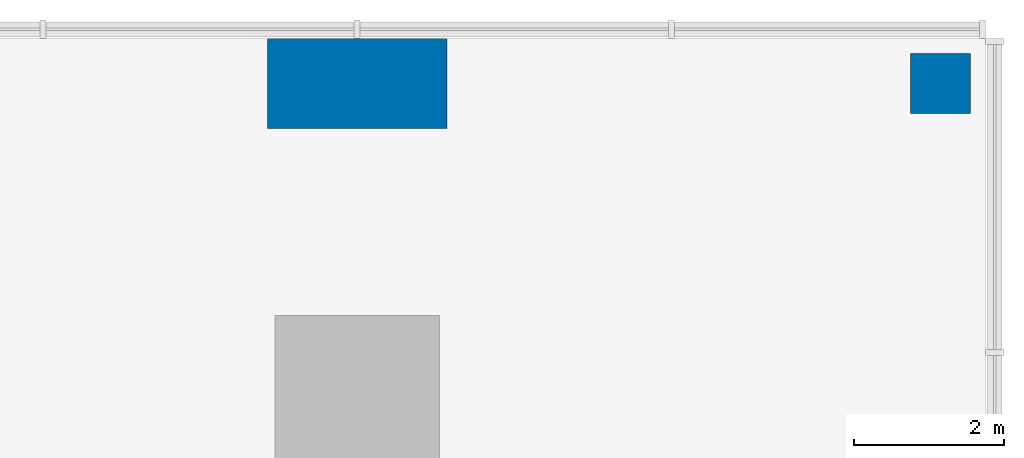
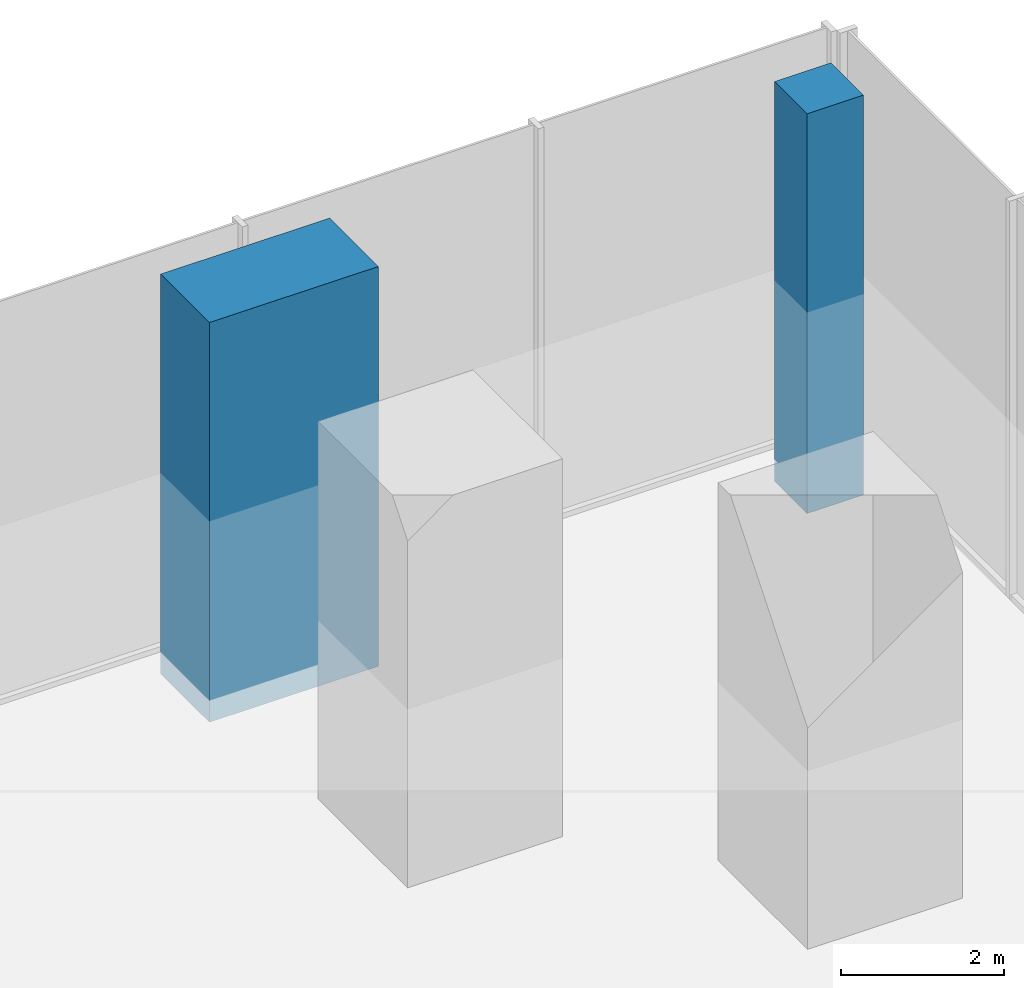
# One storey, part 14 of 32: 2 columns.
"""IFC4 building model written with IfcOpenShell, lengths in metres."""

from ifc_helpers import new_model, si_unit, direction, frame, origin, origin_2d, place, context, subcontext, project, spatial, rectangle, extrude, material, material_profile, profile_set, type_object, element, save


model = new_model("IFC4")

# Units and contexts
model_context = context("Model", 3, precision=1e-05, world=origin(), true_north=direction((0.0, 1.0)))
body_context = subcontext(model_context, "Body", "Model", "MODEL_VIEW")
ifc_project = project(units=[si_unit("LENGTHUNIT", "METRE"), si_unit("AREAUNIT", "SQUARE_METRE"), si_unit("VOLUMEUNIT", "CUBIC_METRE"), si_unit("PLANEANGLEUNIT", "RADIAN"), si_unit("MASSUNIT", "GRAM", prefix="KILO")], contexts=[model_context])

# Site, building, storey
site_placement = place(None, origin())
site = spatial("IfcSite", under=ifc_project, at=site_placement, CompositionType="ELEMENT")
building_placement = place(site_placement, origin())
building = spatial("IfcBuilding", under=site, at=building_placement, Name="Dunama Terrace Hotel", CompositionType="ELEMENT")
storey_placement = place(building_placement, frame((0.0, 0.0, 6.0)))
storey = spatial("IfcBuildingStorey", under=building, at=storey_placement, Name="L01", CompositionType="ELEMENT", Elevation=6.0)

# Columns
ifc_material_1 = material(Name="Concrete C60/75", Category="concrete")
ifc_material_profile_1 = material_profile(ifc_material_1, rectangle(XDim=2.39990234375, YDim=1.199951171875, at=origin_2d()), Name="RC 2400x1200")
ifc_profile_set_1 = profile_set([ifc_material_profile_1], Name="Concrete C60/75")
column_type_1 = type_object("IfcColumnType", Name="Column RC 2400x1200", PredefinedType="COLUMN", material=ifc_profile_set_1)
column_1_placement = place(storey_placement, frame((50.39990234375, 58.199951171875, -0.300048828125), z_axis=(0.0, 0.0, 1.0), x_axis=(1.0, 0.0, 0.0)))
element("IfcColumn", 1, at=column_1_placement, inside=storey, type_object=column_type_1, Name="Column L01 +50.4/+58.2", PredefinedType="COLUMN", context=body_context, shape_type="SweptSolid", body=[
    extrude(rectangle(XDim=2.39990234375, YDim=1.199951171875, at=origin_2d()), origin(), (0.0, 0.0, 1.0), 6.0),
])
ifc_material_2 = material(Name="Concrete C40/50", Category="concrete")
ifc_material_profile_2 = material_profile(ifc_material_2, rectangle(XDim=0.800048828125, YDim=0.800048828125, at=origin_2d()), Name="RC 800x800")
ifc_profile_set_2 = profile_set([ifc_material_profile_2], Name="Concrete C40/50")
column_type_2 = type_object("IfcColumnType", Name="Column RC 800x800", PredefinedType="COLUMN", material=ifc_profile_set_2)
column_2_placement = place(storey_placement, frame((58.199951171875, 58.199951171875, -0.300048828125), z_axis=(0.0, 0.0, 1.0), x_axis=(1.0, 0.0, 0.0)))
element("IfcColumn", 2, at=column_2_placement, inside=storey, type_object=column_type_2, Name="Column L01 +58.2/+58.2", PredefinedType="COLUMN", context=body_context, shape_type="SweptSolid", body=[
    extrude(rectangle(XDim=0.800048828125, YDim=0.800048828125, at=origin_2d()), origin(), (0.0, 0.0, 1.0), 6.0),
])

save(model, "model.ifc")
